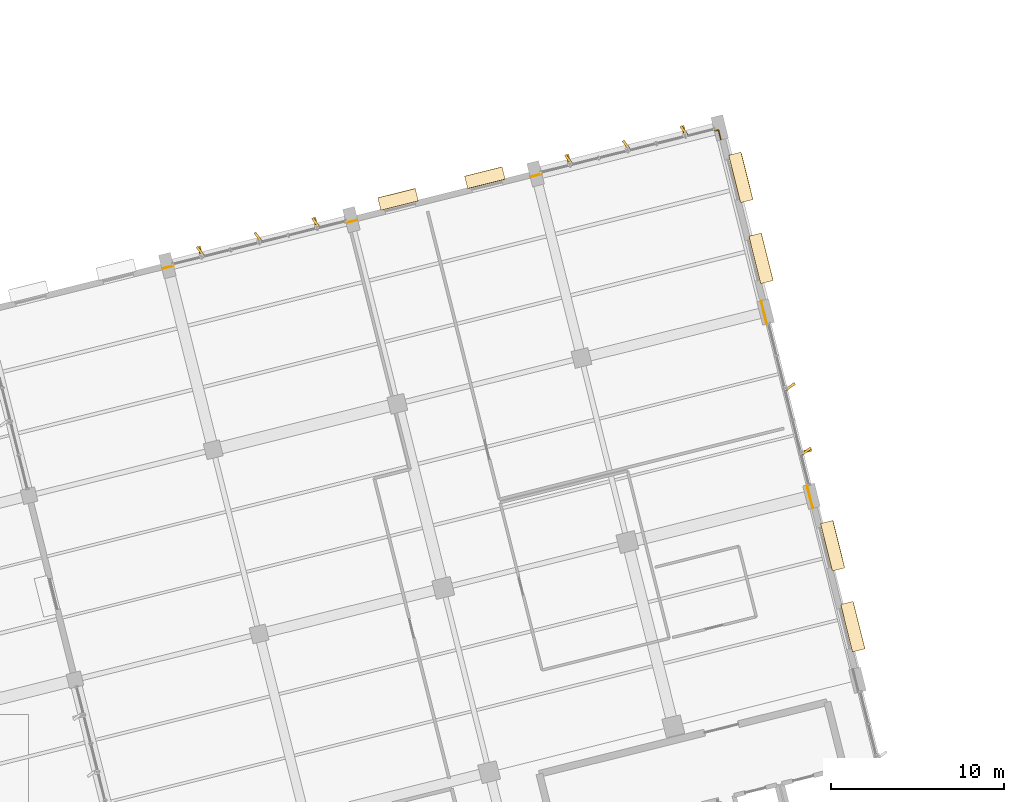
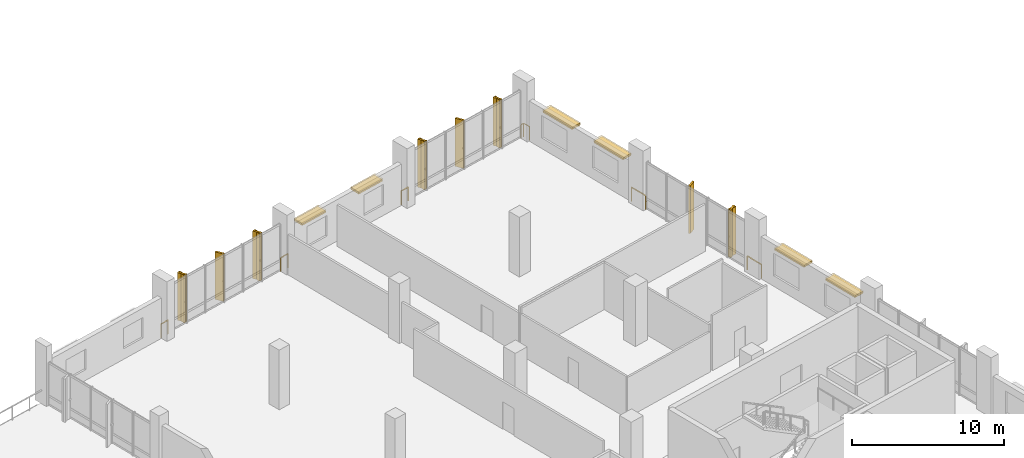
# One storey, part 137 of 137: 14 shading devices, 11 coverings, 6 railings.
"""IFC4 building model written with IfcOpenShell, lengths in metres."""

from ifc_helpers import new_model, si_unit, direction, frame, origin, origin_2d, place, context, subcontext, project, spatial, rectangle, extrude, material, layer, layer_set, type_object, element, save


model = new_model("IFC4")

# Units and contexts
model_context = context("Model", 3, precision=1e-05, world=origin(), true_north=direction((0.0, 1.0)))
body_context = subcontext(model_context, "Body", "Model", "MODEL_VIEW")
ifc_project = project(units=[si_unit("LENGTHUNIT", "METRE"), si_unit("AREAUNIT", "SQUARE_METRE"), si_unit("VOLUMEUNIT", "CUBIC_METRE"), si_unit("PLANEANGLEUNIT", "RADIAN"), si_unit("MASSUNIT", "GRAM", prefix="KILO")], contexts=[model_context])

# Site, building, storey
site_placement = place(None, origin())
site = spatial("IfcSite", under=ifc_project, at=site_placement, CompositionType="ELEMENT")
building_placement = place(site_placement, origin())
building = spatial("IfcBuilding", under=site, at=building_placement, Name="Khorjan Park Terminus", CompositionType="ELEMENT")
storey_placement = place(building_placement, frame((0.0, 0.0, 11.4)))
storey = spatial("IfcBuildingStorey", under=building, at=storey_placement, Name="L02", CompositionType="ELEMENT", Elevation=11.4)

# Coverings
ifc_material_1 = material(Name="Pigmented Precast GRC", Category="concrete")
ifc_layer_1 = layer(ifc_material_1, 0.16)
ifc_layer_set_1 = layer_set([ifc_layer_1], Name="Pigmented Precast GRC")
covering_type_1 = type_object("IfcCoveringType", Name="CV-FIN-GRC", PredefinedType="CLADDING", material=ifc_layer_set_1)
covering_placement = place(storey_placement, frame((219.1086, 63.2764, -0.02), z_axis=(0.0, 0.0, 1.0), x_axis=(-0.970295726276, -0.2419218956, 0.0)))
element("IfcCovering", 1, at=covering_placement, inside=storey, type_object=covering_type_1, Name="Projecting desert-sandstone GRC facade fin CL-FN1 (CW-V5-E-L02-B05-1)", PredefinedType="CLADDING", context=body_context, shape_type="SweptSolid", body=[
    extrude(rectangle(XDim=0.58, YDim=0.16, at=origin_2d()), origin(), (0.0, 0.0, 1.0), 3.825),
])
for number, where, z_axis, x_axis, name in (
    (2, (211.9946, 81.8541, -0.02), (0.0, 0.0, 1.0), (0.2419218956, -0.970295726276, 0.0), "Projecting desert-sandstone GRC facade fin CL-FN1 (CW-V5-N1-L02-B01-1)"),
    (3, (205.3055, 80.1863, -0.02), (0.0, 0.0, 1.0), (0.2419218956, -0.970295726276, 0.0), "Projecting desert-sandstone GRC facade fin CL-FN1 (CW-V5-N1-L02-B01-5)"),
):
    element("IfcCovering", number, at=place(storey_placement, frame(where, z_axis=z_axis, x_axis=x_axis)), inside=storey, type_object=covering_type_1, Name=name, PredefinedType="CLADDING", context=body_context, shape_type="SweptSolid", body=[
        extrude(rectangle(XDim=0.58, YDim=0.16, at=origin_2d()), origin(), (0.0, 0.0, 1.0), 3.865),
    ])
for number, where, z_axis, x_axis, name in (
    (4, (190.6478, 76.5318, -0.02), (0.0, 0.0, 1.0), (0.2419218956, -0.970295726276, 0.0), "Projecting desert-sandstone GRC facade fin CL-FN1 (CW-V5-N1-L02-B03-1)"),
    (5, (183.9594, 74.8642, -0.02), (0.0, 0.0, 1.0), (0.2419218956, -0.970295726276, 0.0), "Projecting desert-sandstone GRC facade fin CL-FN1 (CW-V5-N1-L02-B03-5)"),
):
    element("IfcCovering", number, at=place(storey_placement, frame(where, z_axis=z_axis, x_axis=x_axis)), inside=storey, type_object=covering_type_1, Name=name, PredefinedType="CLADDING", context=body_context, shape_type="SweptSolid", body=[
        extrude(rectangle(XDim=0.58, YDim=0.16, at=origin_2d()), origin(), (0.0, 0.0, 1.0), 3.825),
    ])
ifc_layer_2 = layer(ifc_material_1, 0.18)
ifc_layer_set_2 = layer_set([ifc_layer_2], Name="Pigmented Precast GRC")
covering_type_2 = type_object("IfcCoveringType", Name="CV-HOOD-GRC", PredefinedType="CLADDING", material=ifc_layer_set_2)
for number, where, z_axis, x_axis, name in (
    (6, (221.7858, 53.0963, 2.73), (0.0, 0.0, 1.0), (-0.241910213292, 0.970298638928, 0.0), "Projecting desert-sandstone GRC window eyebrow CL-HD1 (EW-V5-E-L02-B04-1)"),
    (7, (220.6161, 57.7876, 2.73), (0.0, 0.0, 1.0), (-0.241910213292, 0.970298638928, 0.0), "Projecting desert-sandstone GRC window eyebrow CL-HD1 (EW-V5-E-L02-B04-2)"),
    (8, (216.4636, 74.4423, 2.73), (0.0, 0.0, 1.0), (-0.241919949632, 0.970296211458, 0.0), "Projecting desert-sandstone GRC window eyebrow CL-HD1 (EW-V5-E-L02-B06-1)"),
    (9, (215.294, 79.1336, 2.73), (0.0, 0.0, 1.0), (-0.241919949632, 0.970296211458, 0.0), "Projecting desert-sandstone GRC window eyebrow CL-HD1 (EW-V5-E-L02-B06-2)"),
):
    element("IfcCovering", number, at=place(storey_placement, frame(where, z_axis=z_axis, x_axis=x_axis)), inside=storey, type_object=covering_type_2, Name=name, PredefinedType="CLADDING", context=body_context, shape_type="SweptSolid", body=[
        extrude(rectangle(XDim=2.84, YDim=0.74, at=origin_2d()), origin(), (0.0, 0.0, 1.0), 0.16),
    ])
for number, where, z_axis, x_axis, name in (
    (10, (200.4594, 79.1172, 2.58), (0.0, 0.0, 1.0), (-0.970297165188, -0.241916124366, 0.0), "Projecting desert-sandstone GRC window eyebrow CL-HD1 (EW-V5-N1-L02-B02-1)"),
    (11, (195.4285, 77.8629, 2.58), (0.0, 0.0, 1.0), (-0.970297165188, -0.241916124366, 0.0), "Projecting desert-sandstone GRC window eyebrow CL-HD1 (EW-V5-N1-L02-B02-2)"),
):
    element("IfcCovering", number, at=place(storey_placement, frame(where, z_axis=z_axis, x_axis=x_axis)), inside=storey, type_object=covering_type_2, Name=name, PredefinedType="CLADDING", context=body_context, shape_type="SweptSolid", body=[
        extrude(rectangle(XDim=2.24, YDim=0.74, at=origin_2d()), origin(), (0.0, 0.0, 1.0), 0.16),
    ])

# Railings
ifc_material_2 = material(Name="Steel S355", Category="steel")
railing_type = type_object("IfcRailingType", Name="GR-112", PredefinedType="GUARDRAIL", material=ifc_material_2)
railing_1_placement = place(storey_placement, frame((181.7716, 73.8497, 0.0)))
element("IfcRailing", 12, at=railing_1_placement, inside=storey, type_object=railing_type, Name="Perimeter safety guard GR-112 (L02-63)", PredefinedType="GUARDRAIL", context=body_context, shape_type="SweptSolid", body=[
    extrude(rectangle(XDim=0.048, YDim=0.048, at=origin_2d()), frame((0.0, 0.0, 1.096), z_axis=(0.970270049618, 0.242024855777, 0.0), x_axis=(-0.242024855777, 0.970270049618, 0.0)), (0.0, 0.0, 1.0), 0.645),
    extrude(rectangle(XDim=0.042, YDim=0.042, at=origin_2d()), origin(), (0.0, 0.0, 1.0), 1.072),
    extrude(rectangle(XDim=0.042, YDim=0.042, at=origin_2d()), frame((0.6258, 0.1561, 0.0)), (0.0, 0.0, 1.0), 1.072),
])
railing_2_placement = place(storey_placement, frame((192.43, 76.5072, 0.0)))
element("IfcRailing", 13, at=railing_2_placement, inside=storey, type_object=railing_type, Name="Perimeter safety guard GR-112 (L02-64)", PredefinedType="GUARDRAIL", context=body_context, shape_type="SweptSolid", body=[
    extrude(rectangle(XDim=0.048, YDim=0.048, at=origin_2d()), frame((0.0, 0.0, 1.096), z_axis=(0.970306449081, 0.241878884718, 0.0), x_axis=(-0.241878884718, 0.970306449081, 0.0)), (0.0, 0.0, 1.0), 0.645),
    extrude(rectangle(XDim=0.042, YDim=0.042, at=origin_2d()), origin(), (0.0, 0.0, 1.0), 1.072),
    extrude(rectangle(XDim=0.042, YDim=0.042, at=origin_2d()), frame((0.6258, 0.156, 0.0)), (0.0, 0.0, 1.0), 1.072),
])
railing_3_placement = place(storey_placement, frame((203.1175, 79.1719, 0.0)))
element("IfcRailing", 14, at=railing_3_placement, inside=storey, type_object=railing_type, Name="Perimeter safety guard GR-112 (L02-65)", PredefinedType="GUARDRAIL", context=body_context, shape_type="SweptSolid", body=[
    extrude(rectangle(XDim=0.048, YDim=0.048, at=origin_2d()), frame((0.0, 0.0, 1.096), z_axis=(0.970315518329, 0.241842500175, 0.0), x_axis=(-0.241842500175, 0.970315518329, 0.0)), (0.0, 0.0, 1.0), 0.645),
    extrude(rectangle(XDim=0.042, YDim=0.042, at=origin_2d()), origin(), (0.0, 0.0, 1.0), 1.072),
    extrude(rectangle(XDim=0.042, YDim=0.042, at=origin_2d()), frame((0.6259, 0.156, 0.0)), (0.0, 0.0, 1.0), 1.072),
])
railing_4_placement = place(storey_placement, frame((213.7769, 81.8296, 0.0)))
element("IfcRailing", 15, at=railing_4_placement, inside=storey, type_object=railing_type, Name="Perimeter safety guard GR-112 (L02-67)", PredefinedType="GUARDRAIL", context=body_context, shape_type="SweptSolid", body=[
    extrude(rectangle(XDim=0.048, YDim=0.048, at=origin_2d()), frame((0.0, 0.0, 1.096), z_axis=(0.970295873999, 0.241921303114, 0.0), x_axis=(-0.241921303114, 0.970295873999, 0.0)), (0.0, 0.0, 1.0), 0.2298),
    extrude(rectangle(XDim=0.048, YDim=0.048, at=origin_2d()), frame((0.223, 0.0556, 1.096), z_axis=(0.241911448302, -0.97029833102, 0.0), x_axis=(0.97029833102, 0.241911448302, 0.0)), (0.0, 0.0, 1.0), 0.5655),
    extrude(rectangle(XDim=0.042, YDim=0.042, at=origin_2d()), origin(), (0.0, 0.0, 1.0), 1.072),
    extrude(rectangle(XDim=0.042, YDim=0.042, at=origin_2d()), frame((0.223, 0.0556, 0.0)), (0.0, 0.0, 1.0), 1.072),
    extrude(rectangle(XDim=0.042, YDim=0.042, at=origin_2d()), frame((0.3598, -0.4931, 0.0)), (0.0, 0.0, 1.0), 1.072),
])
railing_5_placement = place(storey_placement, frame((216.476, 71.954, 0.0)))
element("IfcRailing", 16, at=railing_5_placement, inside=storey, type_object=railing_type, Name="Perimeter safety guard GR-112 (L02-68)", PredefinedType="GUARDRAIL", context=body_context, shape_type="SweptSolid", body=[
    extrude(rectangle(XDim=0.048, YDim=0.048, at=origin_2d()), frame((0.0, 0.0, 1.096), z_axis=(0.241870763547, -0.970308473498, 0.0), x_axis=(0.970308473498, 0.241870763547, 0.0)), (0.0, 0.0, 1.0), 1.3449),
    extrude(rectangle(XDim=0.042, YDim=0.042, at=origin_2d()), origin(), (0.0, 0.0, 1.0), 1.072),
    extrude(rectangle(XDim=0.042, YDim=0.042, at=origin_2d()), frame((0.3253, -1.305, 0.0)), (0.0, 0.0, 1.0), 1.072),
])
railing_6_placement = place(storey_placement, frame((219.1334, 61.2956, 0.0)))
element("IfcRailing", 17, at=railing_6_placement, inside=storey, type_object=railing_type, Name="Perimeter safety guard GR-112 (L02-70)", PredefinedType="GUARDRAIL", context=body_context, shape_type="SweptSolid", body=[
    extrude(rectangle(XDim=0.048, YDim=0.048, at=origin_2d()), frame((0.0, 0.0, 1.096), z_axis=(0.241923311945, -0.97029537314, 0.0), x_axis=(0.97029537314, 0.241923311945, 0.0)), (0.0, 0.0, 1.0), 1.3451),
    extrude(rectangle(XDim=0.042, YDim=0.042, at=origin_2d()), origin(), (0.0, 0.0, 1.0), 1.072),
    extrude(rectangle(XDim=0.042, YDim=0.042, at=origin_2d()), frame((0.3254, -1.3051, 0.0)), (0.0, 0.0, 1.0), 1.072),
])

# Shading devices
ifc_material_3 = material(Name="Anodized Bronze Aluminium", Category="aluminium")
shading_device_type_1 = type_object("IfcShadingDeviceType", Name="SD-FIN-620", PredefinedType="JALOUSIE", material=ifc_material_3)
for number, where, z_axis, x_axis, name in (
    (18, (219.1086, 63.2764, -0.02), (0.0, 0.0, 1.0), (-0.809016994375, -0.587785252292, 0.0), "Angled solar brise-soleil fin SF-62 (CW-V5-E-L02-B05-1)"),
    (19, (218.1757, 67.0177, -0.02), (0.0, 0.0, 1.0), (-0.809016994375, -0.587785252292, 0.0), "Angled solar brise-soleil fin SF-62 (CW-V5-E-L02-B05-3)"),
):
    element("IfcShadingDevice", number, at=place(storey_placement, frame(where, z_axis=z_axis, x_axis=x_axis)), inside=storey, type_object=shading_device_type_1, Name=name, PredefinedType="JALOUSIE", context=body_context, shape_type="SweptSolid", body=[
        extrude(rectangle(XDim=0.62, YDim=0.14, at=origin_2d()), origin(), (0.0, 0.0, 1.0), 3.825),
    ])
for number, where, z_axis, x_axis, name in (
    (20, (211.9946, 81.8541, -0.02), (0.0, 0.0, 1.0), (0.587785252292, -0.809016994375, 0.0), "Angled solar brise-soleil fin SF-62 (CW-V5-N1-L02-B01-1)"),
    (21, (208.6501, 81.0202, -0.02), (0.0, 0.0, 1.0), (0.587785252292, -0.809016994375, 0.0), "Angled solar brise-soleil fin SF-62 (CW-V5-N1-L02-B01-3)"),
    (22, (205.3055, 80.1863, -0.02), (0.0, 0.0, 1.0), (0.587785252292, -0.809016994375, 0.0), "Angled solar brise-soleil fin SF-62 (CW-V5-N1-L02-B01-5)"),
):
    element("IfcShadingDevice", number, at=place(storey_placement, frame(where, z_axis=z_axis, x_axis=x_axis)), inside=storey, type_object=shading_device_type_1, Name=name, PredefinedType="JALOUSIE", context=body_context, shape_type="SweptSolid", body=[
        extrude(rectangle(XDim=0.62, YDim=0.14, at=origin_2d()), origin(), (0.0, 0.0, 1.0), 3.865),
    ])
for number, where, z_axis, x_axis, name in (
    (23, (190.6478, 76.5318, -0.02), (0.0, 0.0, 1.0), (0.587785252292, -0.809016994375, 0.0), "Angled solar brise-soleil fin SF-62 (CW-V5-N1-L02-B03-1)"),
    (24, (187.3036, 75.698, -0.02), (0.0, 0.0, 1.0), (0.587785252292, -0.809016994375, 0.0), "Angled solar brise-soleil fin SF-62 (CW-V5-N1-L02-B03-3)"),
    (25, (183.9594, 74.8642, -0.02), (0.0, 0.0, 1.0), (0.587785252292, -0.809016994375, 0.0), "Angled solar brise-soleil fin SF-62 (CW-V5-N1-L02-B03-5)"),
):
    element("IfcShadingDevice", number, at=place(storey_placement, frame(where, z_axis=z_axis, x_axis=x_axis)), inside=storey, type_object=shading_device_type_1, Name=name, PredefinedType="JALOUSIE", context=body_context, shape_type="SweptSolid", body=[
        extrude(rectangle(XDim=0.62, YDim=0.14, at=origin_2d()), origin(), (0.0, 0.0, 1.0), 3.825),
    ])
shading_device_type_2 = type_object("IfcShadingDeviceType", Name="SD-SUN-750", PredefinedType="SHUTTER", material=ifc_material_3)
for number, where, z_axis, x_axis, name in (
    (26, (221.7858, 53.0963, 2.66), (0.0, 0.0, 1.0), (-0.241910213292, 0.970298638928, 0.0), "Projecting solar overhang hood SH-75 (EW-V5-E-L02-B04-1)"),
    (27, (220.6161, 57.7876, 2.66), (0.0, 0.0, 1.0), (-0.241910213292, 0.970298638928, 0.0), "Projecting solar overhang hood SH-75 (EW-V5-E-L02-B04-2)"),
    (28, (216.4636, 74.4423, 2.66), (0.0, 0.0, 1.0), (-0.241919949632, 0.970296211458, 0.0), "Projecting solar overhang hood SH-75 (EW-V5-E-L02-B06-1)"),
    (29, (215.294, 79.1336, 2.66), (0.0, 0.0, 1.0), (-0.241919949632, 0.970296211458, 0.0), "Projecting solar overhang hood SH-75 (EW-V5-E-L02-B06-2)"),
):
    element("IfcShadingDevice", number, at=place(storey_placement, frame(where, z_axis=z_axis, x_axis=x_axis)), inside=storey, type_object=shading_device_type_2, Name=name, PredefinedType="SHUTTER", context=body_context, shape_type="SweptSolid", body=[
        extrude(rectangle(XDim=2.76, YDim=0.76, at=origin_2d()), origin(), (0.0, 0.0, 1.0), 0.14),
    ])
for number, where, z_axis, x_axis, name in (
    (30, (200.4594, 79.1172, 2.51), (0.0, 0.0, 1.0), (-0.970297165188, -0.241916124366, 0.0), "Projecting solar overhang hood SH-75 (EW-V5-N1-L02-B02-1)"),
    (31, (195.4285, 77.8629, 2.51), (0.0, 0.0, 1.0), (-0.970297165188, -0.241916124366, 0.0), "Projecting solar overhang hood SH-75 (EW-V5-N1-L02-B02-2)"),
):
    element("IfcShadingDevice", number, at=place(storey_placement, frame(where, z_axis=z_axis, x_axis=x_axis)), inside=storey, type_object=shading_device_type_2, Name=name, PredefinedType="SHUTTER", context=body_context, shape_type="SweptSolid", body=[
        extrude(rectangle(XDim=2.16, YDim=0.76, at=origin_2d()), origin(), (0.0, 0.0, 1.0), 0.14),
    ])

save(model, "model.ifc")
